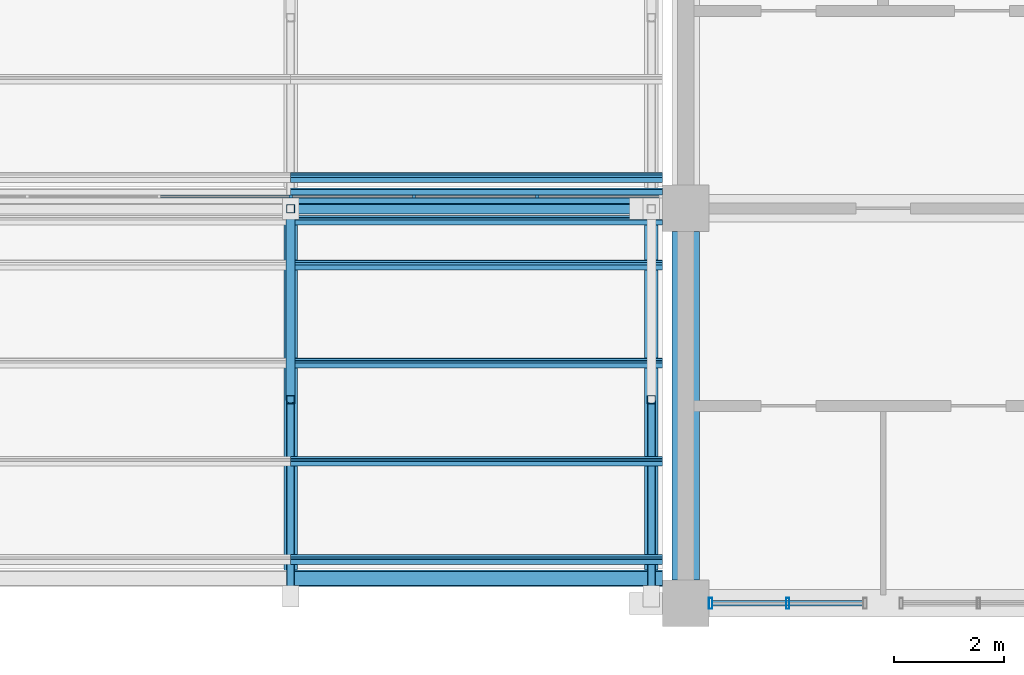
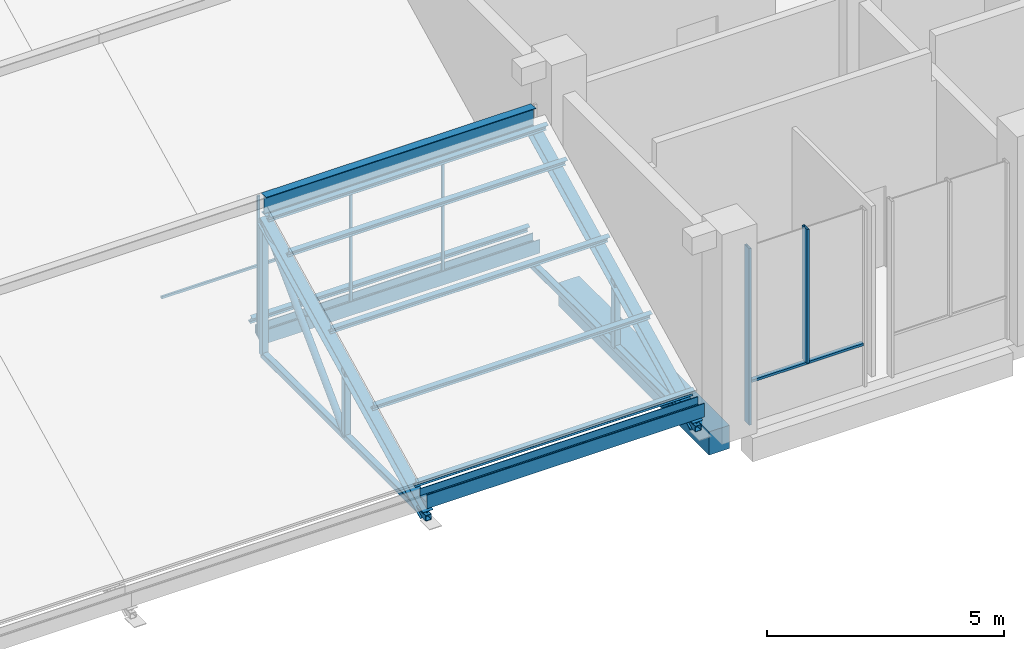
# One storey, part 43 of 83: 27 members, 1 beam, 3 elements without a shape of their own.
"""IFC4 building model written with IfcOpenShell, lengths in metres."""

import ifcopenshell
import ifcopenshell.guid

model = None  # the IFC model being written
_history = None  # IfcOwnerHistory: only IFC2X3 demands one
_inside = {}  # id of a spatial element -> (the spatial element, [elements in it])
_under = {}  # id of a project, library or spatial element -> (it, [spatial elements below it])
_declared = {}  # id of a project -> (the project, [libraries it declares])
_typed = {}  # id of a type object -> (the type object, [elements of that type])
_made_of = {}  # id of a material, layer set ... -> (it, [elements and type objects made of it])


def new_model(schema):
    """Start an empty IFC model of exactly this schema.

    Asked for "IFC4X3", IfcOpenShell would pick the latest addendum, in which some entities
    have other attributes; the version numbers below select the first issue.
    IFC2X3 requires an IfcOwnerHistory on every rooted entity: one is made here for all.
    """
    global model, _history
    if schema == "IFC4X3":
        model = ifcopenshell.file(schema_version=(4, 3, 0, 0))
    else:
        model = ifcopenshell.file(schema=schema)
    _inside.clear()
    _under.clear()
    _declared.clear()
    _typed.clear()
    _made_of.clear()
    _history = None
    if model.schema == "IFC2X3":
        org = make("IfcOrganization", Name="unknown")
        user = make(
            "IfcPersonAndOrganization",
            ThePerson=make("IfcPerson", FamilyName="unknown"),
            TheOrganization=org,
        )
        app = make(
            "IfcApplication",
            ApplicationDeveloper=org,
            Version="unknown",
            ApplicationFullName="unknown",
            ApplicationIdentifier="unknown",
        )
        _history = make(
            "IfcOwnerHistory",
            OwningUser=user,
            OwningApplication=app,
            ChangeAction="ADDED",
            CreationDate=0,
        )
    return model


def make(cls, **values):
    """One entity of the class cls with the attributes given. An attribute that is None is left unset."""
    return model.create_entity(
        cls, **{name: value for name, value in values.items() if value is not None}
    )


def rooted(cls, **values):
    """An entity with a GlobalId (a new one), such as an element, a storey or a relation."""
    return make(cls, GlobalId=ifcopenshell.guid.new(), OwnerHistory=_history, **values)


def si_unit(unit_type, name, prefix=None):
    """IfcSIUnit, for example si_unit("LENGTHUNIT", "METRE", prefix="MILLI")."""
    return make("IfcSIUnit", UnitType=unit_type, Prefix=prefix, Name=name)


def assignment(units):
    """IfcUnitAssignment: the units of a project."""
    return None if units is None else make("IfcUnitAssignment", Units=units)


def point(xyz):
    """IfcCartesianPoint."""
    return None if xyz is None else make("IfcCartesianPoint", Coordinates=xyz)


def direction(xyz):
    """IfcDirection."""
    return None if xyz is None else make("IfcDirection", DirectionRatios=xyz)


def frame(location, z_axis=None, x_axis=None):
    """IfcAxis2Placement3D, a coordinate frame: its origin and axes. An axis left out is left unset."""
    return make(
        "IfcAxis2Placement3D",
        Location=point(location),
        Axis=direction(z_axis),
        RefDirection=direction(x_axis),
    )


def frame_2d(location, x_axis=None):
    """IfcAxis2Placement2D, a coordinate frame in the plane: its origin and x axis."""
    return make(
        "IfcAxis2Placement2D", Location=point(location), RefDirection=direction(x_axis)
    )


def origin():
    """The frame at (0, 0, 0) with its axes left unset."""
    return frame((0.0, 0.0, 0.0))


def origin_2d():
    """The frame at (0, 0) in the plane with its x axis left unset."""
    return frame_2d((0.0, 0.0))


def place(relative_to, where):
    """IfcLocalPlacement: puts the frame where relative to a parent placement (None: the world)."""
    return make(
        "IfcLocalPlacement", PlacementRelTo=relative_to, RelativePlacement=where
    )


def context(
    kind, dimensions, precision=None, world=None, true_north=None, identifier=None
):
    """IfcGeometricRepresentationContext, for example the 3D "Model" context."""
    return make(
        "IfcGeometricRepresentationContext",
        ContextIdentifier=identifier,
        ContextType=kind,
        CoordinateSpaceDimension=dimensions,
        Precision=precision,
        WorldCoordinateSystem=world,
        TrueNorth=true_north,
    )


def subcontext(parent, identifier, kind, view, scale=None):
    """IfcGeometricRepresentationSubContext, for example "Body" below "Model"."""
    return make(
        "IfcGeometricRepresentationSubContext",
        ContextIdentifier=identifier,
        ContextType=kind,
        ParentContext=parent,
        TargetScale=scale,
        TargetView=view,
    )


def project(units=None, contexts=None):
    """IfcProject with its units and contexts."""
    return rooted(
        "IfcProject",
        Name="project",
        RepresentationContexts=contexts,
        UnitsInContext=assignment(units),
    )


def spatial(cls, under=None, at=None, **own):
    """A site, building, storey or space (cls), placed at a placement, below another one or the project."""
    s = rooted(cls, ObjectPlacement=at, **own)
    if under is not None:
        _under.setdefault(under.id(), (under, []))[1].append(s)
    return s


def polyline(points):
    """IfcPolyline through the points."""
    return make("IfcPolyline", Points=[point(p) for p in points])


def profile(cls, at=None, kind="AREA", **sizes):
    """A parametric profile (cls). Its sizes go by their IFC names, for example OverallWidth=200.0."""
    return make(cls, ProfileType=kind, Position=at, **sizes)


def rectangle(**sizes):
    """IfcRectangleProfileDef."""
    return profile("IfcRectangleProfileDef", **sizes)


def hollow_rectangle(**sizes):
    """IfcRectangleHollowProfileDef."""
    return profile("IfcRectangleHollowProfileDef", **sizes)


def hollow_circle(**sizes):
    """IfcCircleHollowProfileDef."""
    return profile("IfcCircleHollowProfileDef", **sizes)


def i_section(**sizes):
    """IfcIShapeProfileDef."""
    return profile("IfcIShapeProfileDef", **sizes)


def outline(outer, holes=None, kind="AREA"):
    """IfcArbitraryClosedProfileDef: a profile drawn as a closed curve; with holes, ...WithVoids."""
    if holes is None:
        return make("IfcArbitraryClosedProfileDef", ProfileType=kind, OuterCurve=outer)
    return make(
        "IfcArbitraryProfileDefWithVoids",
        ProfileType=kind,
        OuterCurve=outer,
        InnerCurves=holes,
    )


def extrude(swept, where, along, depth):
    """IfcExtrudedAreaSolid: the profile swept, set in the frame where, extruded along a direction by depth."""
    return make(
        "IfcExtrudedAreaSolid",
        SweptArea=swept,
        Position=where,
        ExtrudedDirection=direction(along),
        Depth=depth,
    )


def shape(context_of_items, identifier, shape_type, items):
    """IfcShapeRepresentation: the items that make up one representation, for example the "Body"."""
    return make(
        "IfcShapeRepresentation",
        ContextOfItems=context_of_items,
        RepresentationIdentifier=identifier,
        RepresentationType=shape_type,
        Items=items,
    )


def material(Name=None, Category=None):
    """IfcMaterial."""
    return make("IfcMaterial", Name=Name, Category=Category)


def material_profile(
    of_material, cross_section, Name=None, Category=None, Priority=None
):
    """IfcMaterialProfile: a cross section and its material."""
    return make(
        "IfcMaterialProfile",
        Name=Name,
        Material=of_material,
        Profile=cross_section,
        Priority=Priority,
        Category=Category,
    )


def profile_set(profiles, Name=None, composite=None):
    """IfcMaterialProfileSet."""
    return make(
        "IfcMaterialProfileSet",
        Name=Name,
        MaterialProfiles=profiles,
        CompositeProfile=composite,
    )


def made_of(thing, what):
    """Note that an element or type object is made of a material, layer set ...; save() writes the relation."""
    if what is not None:
        _made_of.setdefault(what.id(), (what, []))[1].append(thing)
    return thing


def type_object(cls, material=None, **own):
    """A type object (cls), such as IfcWallType, which elements share."""
    return made_of(rooted(cls, **own), material)


def element(
    cls,
    number,
    at=None,
    inside=None,
    cuts=None,
    type_object=None,
    material=None,
    context=None,
    identifier="Body",
    shape_type=None,
    held_by="IfcProductDefinitionShape",
    body=None,
    shapes=None,
    **own,
):
    """One element of the class cls, such as IfcWall. Its Tag is "e" and its number.

    at: its placement. inside: the storey or other place that contains it. cuts: it is an
    opening in that element (IfcRelVoidsElement). A single representation is given by context,
    identifier, shape_type and body (its items); several are given by shapes. held_by: the class
    of the entity that holds the representations. save() writes the other relations.
    """
    e = rooted(cls, Tag="e%d" % number, ObjectPlacement=at, **own)
    if body is not None:
        shapes = [shape(context, identifier, shape_type, body)]
    if shapes is not None:
        e.Representation = make(held_by, Representations=shapes)
    if inside is not None:
        _inside.setdefault(inside.id(), (inside, []))[1].append(e)
    if cuts is not None:
        rooted(
            "IfcRelVoidsElement", RelatingBuildingElement=cuts, RelatedOpeningElement=e
        )
    if type_object is not None:
        _typed.setdefault(type_object.id(), (type_object, []))[1].append(e)
    return made_of(e, material)


def aggregate(whole, parts):
    """IfcRelAggregates: a whole, such as a stair, and the parts it consists of."""
    return rooted("IfcRelAggregates", RelatingObject=whole, RelatedObjects=parts)


def save(model, path):
    """Write the relations noted so far, then the file.

    IfcRelAggregates (storeys below a building ...), IfcRelContainedInSpatialStructure (elements
    in a storey), IfcRelDefinesByType, IfcRelAssociatesMaterial and IfcRelDeclares: one each for
    every whole, place, type object, material and project.
    """
    for whole, parts in _under.values():
        aggregate(whole, parts)
    for where, things in _inside.values():
        rooted(
            "IfcRelContainedInSpatialStructure",
            RelatedElements=things,
            RelatingStructure=where,
        )
    for kind, things in _typed.values():
        rooted("IfcRelDefinesByType", RelatedObjects=things, RelatingType=kind)
    for what, things in _made_of.values():
        rooted("IfcRelAssociatesMaterial", RelatedObjects=things, RelatingMaterial=what)
    for by, libraries in _declared.values():
        rooted("IfcRelDeclares", RelatingContext=by, RelatedDefinitions=libraries)
    model.write(path)


model = new_model("IFC4")

# Units and contexts
model_context = context("Model", 3, precision=1e-05, world=origin(), true_north=direction((0.0, 1.0)))
body_context = subcontext(model_context, "Body", "Model", "MODEL_VIEW")
ifc_project = project(units=[si_unit("LENGTHUNIT", "METRE"), si_unit("AREAUNIT", "SQUARE_METRE"), si_unit("VOLUMEUNIT", "CUBIC_METRE"), si_unit("PLANEANGLEUNIT", "RADIAN"), si_unit("MASSUNIT", "GRAM", prefix="KILO")], contexts=[model_context])

# Site, building, storey
site_placement = place(None, origin())
site = spatial("IfcSite", under=ifc_project, at=site_placement, CompositionType="ELEMENT")
building_placement = place(site_placement, origin())
building = spatial("IfcBuilding", under=site, at=building_placement, Name="Silangan Lancet Faculty of Sciences", CompositionType="ELEMENT")
storey_placement = place(building_placement, frame((0.0, 0.0, 11.39990234375)))
storey = spatial("IfcBuildingStorey", under=building, at=storey_placement, Name="L02", CompositionType="ELEMENT", Elevation=11.39990234375)

# Beam
ifc_material_1 = material(Name="Concrete C40/50", Category="concrete")
ifc_material_profile_1 = material_profile(ifc_material_1, rectangle(XDim=0.5, YDim=0.60009765625, at=origin_2d()), Name="RC 500x600")
ifc_profile_set_1 = profile_set([ifc_material_profile_1], Name="Concrete C40/50")
beam_type = type_object("IfcBeamType", Name="BEAM RC 500x600", PredefinedType="BEAM", material=ifc_profile_set_1)
beam_placement = place(storey_placement, frame((72.0, 0.425048828125, -0.5498046875), z_axis=(0.0, 1.0, 0.0), x_axis=(-1.0, 0.0, 0.0)))
element("IfcBeam", 1, at=beam_placement, inside=storey, type_object=beam_type, Name="BM-L02-11A-11B", PredefinedType="BEAM", context=body_context, shape_type="SweptSolid", body=[
    extrude(rectangle(XDim=0.5, YDim=0.60009765625, at=origin_2d()), origin(), (0.0, 0.0, 1.0), 6.349853515625),
])

# Curtain wall, members
ifc_material_2 = material(Name="Aluminium framed curtain wall with insulated glass", Category="aluminium")
curtain_wall_type_1 = type_object("IfcCurtainWallType", Name="CW1 Commons and east block glazing", PredefinedType="NOTDEFINED", material=ifc_material_2)
curtain_wall_1_placement = place(storey_placement, origin())
curtain_wall_1 = element("IfcCurtainWall", 2, at=curtain_wall_1_placement, inside=storey, type_object=curtain_wall_type_1, Name="CW1 East block south L02 bay 1", PredefinedType="NOTDEFINED")
ifc_material_3 = material(Name="Aluminium 6063-T6 extrusion", Category="aluminium")
ifc_material_profile_2 = material_profile(ifc_material_3, hollow_rectangle(XDim=0.06005859375, YDim=0.199951171875, WallThickness=0.00390625, at=origin_2d()), Name="AL BOX 60x200x4")
ifc_profile_set_2 = profile_set([ifc_material_profile_2], Name="Aluminium 6063-T6 extrusion")
member_type_1 = type_object("IfcMemberType", Name="CM1 Mullion 60x200", PredefinedType="MULLION", material=ifc_profile_set_2)
member_1_placement = place(storey_placement, frame((72.455078125, 0.0, 0.0), z_axis=(0.0, 0.0, 1.0), x_axis=(1.0, 0.0, 0.0)))
member_1 = element("IfcMember", 3, at=member_1_placement, type_object=member_type_1, Name="CW1 East block south L02 bay 1 mullion 1", PredefinedType="MULLION", context=body_context, shape_type="SweptSolid", body=[
    extrude(hollow_rectangle(XDim=0.06005859375, YDim=0.199951171875, WallThickness=0.00390625, at=origin_2d()), origin(), (0.0, 0.0, 1.0), 4.550048828125),
])
member_2_placement = place(storey_placement, frame((73.862548828125, 0.0, 1.10009765625), z_axis=(0.0, 0.0, 1.0), x_axis=(1.0, 0.0, 0.0)))
member_2 = element("IfcMember", 4, at=member_2_placement, type_object=member_type_1, Name="CW1 East block south L02 bay 1 mullion 3", PredefinedType="MULLION", context=body_context, shape_type="SweptSolid", body=[
    extrude(hollow_rectangle(XDim=0.06005859375, YDim=0.199951171875, WallThickness=0.00390625, at=origin_2d()), origin(), (0.0, 0.0, 1.0), 3.449951171875),
])
ifc_material_4 = material(Name="Aluminium 6063-T6 extrusion", Category="aluminium")
ifc_material_profile_3 = material_profile(ifc_material_4, hollow_rectangle(XDim=0.10009765625, YDim=0.06005859375, WallThickness=0.0029296875, at=origin_2d()), Name="AL BOX 100x60x3")
ifc_profile_set_3 = profile_set([ifc_material_profile_3], Name="Aluminium 6063-T6 extrusion")
member_type_2 = type_object("IfcMemberType", Name="CT1 Transom 100x60", PredefinedType="USERDEFINED", material=ifc_profile_set_3)
member_3_placement = place(storey_placement, frame((72.485107421875, 0.0, 1.070068359375), z_axis=(1.0, 0.0, 0.0), x_axis=(0.0, 1.0, 0.0)))
member_3 = element("IfcMember", 5, at=member_3_placement, type_object=member_type_2, Name="CW1 East block south L02 bay 1 transom 1", ObjectType="TRANSOM", PredefinedType="USERDEFINED", context=body_context, shape_type="SweptSolid", body=[
    extrude(hollow_rectangle(XDim=0.10009765625, YDim=0.06005859375, WallThickness=0.0029296875, at=origin_2d()), origin(), (0.0, 0.0, 1.0), 2.7548828125),
])
aggregate(curtain_wall_1, [member_1, member_2, member_3])

# Member
ifc_material_5 = material(Name="Steel SS400", Category="steel")
ifc_material_profile_4 = material_profile(ifc_material_5, i_section(OverallWidth=0.199951171875, OverallDepth=0.5, WebThickness=0.010009765625, FlangeThickness=0.01611328125, FilletRadius=0.02001953125, at=origin_2d()), Name="H 500x200x10x16")
ifc_profile_set_4 = profile_set([ifc_material_profile_4], Name="Steel SS400")
member_type_3 = type_object("IfcMemberType", Name="Exposed ridge beam H 500x200x10x16", PredefinedType="MEMBER", material=ifc_profile_set_4)
member_4_placement = place(storey_placement, frame((64.800048828125, 7.191650390625, 3.9326171875), z_axis=(1.0, 0.0, 0.0), x_axis=(0.0, 1.0, 0.0)))
element("IfcMember", 6, at=member_4_placement, inside=storey, type_object=member_type_3, Name="Exposed ridge beam SAB-1-6", PredefinedType="MEMBER", context=body_context, shape_type="SweptSolid", body=[
    extrude(i_section(OverallWidth=0.199951171875, OverallDepth=0.5, WebThickness=0.010009765625, FlangeThickness=0.01611328125, FilletRadius=0.02001953125, at=origin_2d()), origin(), (0.0, 0.0, 1.0), 6.574951171875),
])

# Curtain wall, members
ifc_material_6 = material(Name="Aluminium and laminated glass", Category="aluminium")
curtain_wall_type_2 = type_object("IfcCurtainWallType", Name="North light glazing system", PredefinedType="NOTDEFINED", material=ifc_material_6)
curtain_wall_2_placement = place(storey_placement, origin())
curtain_wall_2 = element("IfcCurtainWall", 7, at=curtain_wall_2_placement, inside=storey, type_object=curtain_wall_type_2, Name="North light glazing SAB-1-6", PredefinedType="NOTDEFINED")
ifc_material_7 = material(Name="Aluminium 6063-T6", Category="aluminium")
ifc_material_profile_5 = material_profile(ifc_material_7, rectangle(XDim=0.06005859375, YDim=0.050048828125, at=origin_2d()), Name="AL 60x50")
ifc_profile_set_5 = profile_set([ifc_material_profile_5], Name="Aluminium 6063-T6")
member_type_4 = type_object("IfcMemberType", Name="North light mullion 60x50", PredefinedType="MULLION", material=ifc_profile_set_5)
member_5_placement = place(storey_placement, frame((64.800048828125, 7.416748046875, 0.4423828125), z_axis=(0.0, 0.0, 1.0), x_axis=(1.0, 0.0, 0.0)))
member_5 = element("IfcMember", 8, at=member_5_placement, type_object=member_type_4, Name="North light mullion SAB-1-6 1", PredefinedType="MULLION", context=body_context, shape_type="SweptSolid", body=[
    extrude(rectangle(XDim=0.06005859375, YDim=0.050048828125, at=origin_2d()), origin(), (0.0, 0.0, 1.0), 3.595947265625),
])
member_6_placement = place(storey_placement, frame((67.04833984375, 7.416748046875, 0.4423828125), z_axis=(0.0, 0.0, 1.0), x_axis=(1.0, 0.0, 0.0)))
member_6 = element("IfcMember", 9, at=member_6_placement, type_object=member_type_4, Name="North light mullion SAB-1-6 2", PredefinedType="MULLION", context=body_context, shape_type="SweptSolid", body=[
    extrude(rectangle(XDim=0.06005859375, YDim=0.050048828125, at=origin_2d()), origin(), (0.0, 0.0, 1.0), 3.595947265625),
])
member_7_placement = place(storey_placement, frame((69.296630859375, 7.416748046875, 0.4423828125), z_axis=(0.0, 0.0, 1.0), x_axis=(1.0, 0.0, 0.0)))
member_7 = element("IfcMember", 10, at=member_7_placement, type_object=member_type_4, Name="North light mullion SAB-1-6 3", PredefinedType="MULLION", context=body_context, shape_type="SweptSolid", body=[
    extrude(rectangle(XDim=0.06005859375, YDim=0.050048828125, at=origin_2d()), origin(), (0.0, 0.0, 1.0), 3.595947265625),
])

# Curtain wall, member
curtain_wall_3_placement = place(storey_placement, origin())
curtain_wall_3 = element("IfcCurtainWall", 11, at=curtain_wall_3_placement, inside=storey, type_object=curtain_wall_type_2, Name="North light glazing SAB-1-5", PredefinedType="NOTDEFINED")
ifc_material_8 = material(Name="Aluminium 6063-T6", Category="aluminium")
ifc_material_profile_6 = material_profile(ifc_material_8, rectangle(XDim=0.050048828125, YDim=0.06005859375, at=origin_2d()), Name="AL 50x60")
ifc_profile_set_6 = profile_set([ifc_material_profile_6], Name="Aluminium 6063-T6")
member_type_5 = type_object("IfcMemberType", Name="North light transom 50x60", PredefinedType="USERDEFINED", material=ifc_profile_set_6)
member_8_placement = place(storey_placement, frame((62.429931640625, 7.416748046875, 2.240478515625), z_axis=(1.0, 0.0, 0.0), x_axis=(0.0, 1.0, 0.0)))
member_8 = element("IfcMember", 12, at=member_8_placement, type_object=member_type_5, Name="North light transom SAB-1-5 3", ObjectType="TRANSOM", PredefinedType="USERDEFINED", context=body_context, shape_type="SweptSolid", body=[
    extrude(rectangle(XDim=0.050048828125, YDim=0.06005859375, at=origin_2d()), origin(), (0.0, 0.0, 1.0), 2.340087890625),
])
aggregate(curtain_wall_3, [member_8])

# Member
member_9_placement = place(storey_placement, frame((64.830078125, 7.416748046875, 2.240478515625), z_axis=(1.0, 0.0, 0.0), x_axis=(0.0, 1.0, 0.0)))
member_9 = element("IfcMember", 13, at=member_9_placement, type_object=member_type_5, Name="North light transom SAB-1-6 1", ObjectType="TRANSOM", PredefinedType="USERDEFINED", context=body_context, shape_type="SweptSolid", body=[
    extrude(rectangle(XDim=0.050048828125, YDim=0.06005859375, at=origin_2d()), origin(), (0.0, 0.0, 1.0), 2.188232421875),
])

member_10_placement = place(storey_placement, frame((67.078369140625, 7.416748046875, 2.240478515625), z_axis=(1.0, 0.0, 0.0), x_axis=(0.0, 1.0, 0.0)))
member_10 = element("IfcMember", 14, at=member_10_placement, type_object=member_type_5, Name="North light transom SAB-1-6 2", ObjectType="TRANSOM", PredefinedType="USERDEFINED", context=body_context, shape_type="SweptSolid", body=[
    extrude(rectangle(XDim=0.050048828125, YDim=0.06005859375, at=origin_2d()), origin(), (0.0, 0.0, 1.0), 2.188232421875),
])

member_11_placement = place(storey_placement, frame((69.32666015625, 7.416748046875, 2.240478515625), z_axis=(1.0, 0.0, 0.0), x_axis=(0.0, 1.0, 0.0)))
member_11 = element("IfcMember", 15, at=member_11_placement, type_object=member_type_5, Name="North light transom SAB-1-6 3", ObjectType="TRANSOM", PredefinedType="USERDEFINED", context=body_context, shape_type="SweptSolid", body=[
    extrude(rectangle(XDim=0.050048828125, YDim=0.06005859375, at=origin_2d()), origin(), (0.0, 0.0, 1.0), 2.248291015625),
])

aggregate(curtain_wall_2, [member_5, member_6, member_7, member_9, member_10, member_11])

# Members
ifc_material_9 = material(Name="Steel SS400", Category="steel")
ifc_material_profile_7 = material_profile(ifc_material_9, i_section(OverallWidth=0.10009765625, OverallDepth=0.199951171875, WebThickness=0.005615234375, FlangeThickness=0.008056640625, FilletRadius=0.008056640625, at=origin_2d()), Name="H 200x100x5.5x8")
ifc_profile_set_7 = profile_set([ifc_material_profile_7], Name="Steel SS400")
member_type_6 = type_object("IfcMemberType", Name="Sheeting purlin H 200x100x5.5x8", PredefinedType="PURLIN", material=ifc_profile_set_7)
for number, where, z_axis, x_axis, name in (
    (16, (64.800048828125, 0.80029296875, 0.6318359375), (1.0, 0.0, 0.0), (0.0, 0.894427192382, 0.447213592736), "Sheeting purlin SAB-1-6 1"),
    (17, (64.800048828125, 2.589111328125, 1.526123046875), (1.0, 0.0, 0.0), (0.0, 0.894427192382, 0.447213592736), "Sheeting purlin SAB-1-6 2"),
    (18, (64.800048828125, 4.3779296875, 2.420654296875), (1.0, 0.0, 0.0), (0.0, 0.894427192382, 0.447213592736), "Sheeting purlin SAB-1-6 3"),
    (19, (64.800048828125, 6.166748046875, 3.31494140625), (1.0, 0.0, 0.0), (0.0, 0.894427192382, 0.447213592736), "Sheeting purlin SAB-1-6 4"),
    (20, (64.800048828125, 6.983642578125, 3.723388671875), (1.0, 0.0, 0.0), (0.0, 0.894427192382, 0.447213592736), "Sheeting purlin SAB-1-6 5"),
    (21, (64.800048828125, 7.761962890625, 0.6318359375), (1.0, 0.0, 0.0), (0.0, 0.894427192382, 0.447213592736), "Sheeting purlin SAB-2-6 1"),
):
    element("IfcMember", number, at=place(storey_placement, frame(where, z_axis=z_axis, x_axis=x_axis)), inside=storey, type_object=member_type_6, Name=name, PredefinedType="PURLIN", context=body_context, shape_type="SweptSolid", body=[
        extrude(i_section(OverallWidth=0.10009765625, OverallDepth=0.199951171875, WebThickness=0.005615234375, FlangeThickness=0.008056640625, FilletRadius=0.008056640625, at=origin_2d()), origin(), (0.0, 0.0, 1.0), 6.77490234375),
    ])
ifc_material_10 = material(Name="Steel STKR400", Category="steel")
ifc_material_profile_8 = material_profile(ifc_material_10, hollow_rectangle(XDim=0.14990234375, YDim=0.14990234375, WallThickness=0.009033203125, InnerFilletRadius=0.009033203125, OuterFilletRadius=0.01806640625, at=origin_2d()), Name="SHS 150x150x9.0")
ifc_profile_set_8 = profile_set([ifc_material_profile_8], Name="Steel STKR400")
member_type_7 = type_object("IfcMemberType", Name="Truss bottom chord SHS 150x150x9.0", PredefinedType="CHORD", material=ifc_profile_set_8)
for number, where, z_axis, x_axis, name in (
    (22, (64.800048828125, 0.22998046875, 0.09521484375), (0.0, 1.0, 0.0), (-1.0, 0.0, 0.0), "Truss 6 bottom chord 1"),
    (23, (71.375, 0.22998046875, 0.09521484375), (0.0, 1.0, 0.0), (-1.0, 0.0, 0.0), "Truss 7 bottom chord 1"),
):
    element("IfcMember", number, at=place(storey_placement, frame(where, z_axis=z_axis, x_axis=x_axis)), inside=storey, type_object=member_type_7, Name=name, PredefinedType="CHORD", context=body_context, shape_type="SweptSolid", body=[
        extrude(hollow_rectangle(XDim=0.14990234375, YDim=0.14990234375, WallThickness=0.009033203125, InnerFilletRadius=0.009033203125, OuterFilletRadius=0.01806640625, at=origin_2d()), origin(), (0.0, 0.0, 1.0), 6.961669921875),
    ])
ifc_material_11 = material(Name="Steel STK400", Category="steel")
ifc_material_profile_9 = material_profile(ifc_material_11, hollow_circle(Radius=0.08251953125, WallThickness=0.0048828125, at=origin_2d()), Name="CHS 165.2x5.0")
ifc_profile_set_9 = profile_set([ifc_material_profile_9], Name="Steel STK400")
member_type_8 = type_object("IfcMemberType", Name="Truss diagonal CHS 165.2x5.0", PredefinedType="BRACE", material=ifc_profile_set_9)
member_12_placement = place(storey_placement, frame((64.800048828125, 3.710693359375, 0.09521484375), z_axis=(0.0, 0.707131578465, 0.707081983039), x_axis=(-1.0, 0.0, 0.0)))
element("IfcMember", 24, at=member_12_placement, inside=storey, type_object=member_type_8, Name="Truss 6 diagonal 1", PredefinedType="BRACE", context=body_context, shape_type="SweptSolid", body=[
    extrude(hollow_circle(Radius=0.08251953125, WallThickness=0.0048828125, at=origin_2d()), origin(), (0.0, 0.0, 1.0), 4.922607421875),
])
ifc_material_12 = material(Name="Steel STKR400", Category="steel")
ifc_material_profile_10 = material_profile(ifc_material_12, hollow_rectangle(XDim=0.14990234375, YDim=0.14990234375, WallThickness=0.006103515625, InnerFilletRadius=0.006103515625, OuterFilletRadius=0.011962890625, at=origin_2d()), Name="SHS 150x150x6.0")
ifc_profile_set_10 = profile_set([ifc_material_profile_10], Name="Steel STKR400")
member_type_9 = type_object("IfcMemberType", Name="Truss post SHS 150x150x6.0", PredefinedType="POST", material=ifc_profile_set_10)
member_13_placement = place(storey_placement, frame((64.800048828125, 7.191650390625, 0.09521484375), z_axis=(0.0, 0.0, 1.0), x_axis=(1.0, 0.0, 0.0)))
element("IfcMember", 25, at=member_13_placement, inside=storey, type_object=member_type_9, Name="Truss 6 riser post 1", PredefinedType="POST", context=body_context, shape_type="SweptSolid", body=[
    extrude(hollow_rectangle(XDim=0.14990234375, YDim=0.14990234375, WallThickness=0.006103515625, InnerFilletRadius=0.006103515625, OuterFilletRadius=0.011962890625, at=origin_2d()), origin(), (0.0, 0.0, 1.0), 3.480712890625),
])
for number, where, z_axis, x_axis, name in (
    (26, (64.800048828125, 3.710693359375, 0.09521484375), (0.0, 0.0, 1.0), (1.0, 0.0, 0.0), "Truss 6 mid post 1"),
    (27, (71.375, 3.710693359375, 0.09521484375), (0.0, 0.0, 1.0), (1.0, 0.0, 0.0), "Truss 7 mid post 1"),
):
    element("IfcMember", number, at=place(storey_placement, frame(where, z_axis=z_axis, x_axis=x_axis)), inside=storey, type_object=member_type_9, Name=name, PredefinedType="POST", context=body_context, shape_type="SweptSolid", body=[
        extrude(hollow_rectangle(XDim=0.14990234375, YDim=0.14990234375, WallThickness=0.006103515625, InnerFilletRadius=0.006103515625, OuterFilletRadius=0.011962890625, at=origin_2d()), origin(), (0.0, 0.0, 1.0), 1.740234375),
    ])
ifc_material_13 = material(Name="Steel SS400", Category="steel")
ifc_material_profile_11 = material_profile(ifc_material_13, i_section(OverallWidth=0.25, OverallDepth=0.25, WebThickness=0.009033203125, FlangeThickness=0.013916015625, FilletRadius=0.01611328125, at=origin_2d()), Name="H 250x250x9x14")
ifc_profile_set_11 = profile_set([ifc_material_profile_11], Name="Steel SS400")
member_type_10 = type_object("IfcMemberType", Name="Truss top chord H 250x250x9x14", PredefinedType="CHORD", material=ifc_profile_set_11)
for number, where, z_axis, x_axis, name in (
    (28, (64.800048828125, 0.310546875, 0.13525390625), (0.0, 0.894420844124, 0.447226289027), (-1.0, 0.0, 0.0), "Truss 6 top chord 1"),
    (29, (71.375, 0.310546875, 0.13525390625), (0.0, 0.894420844124, 0.447226289027), (-1.0, 0.0, 0.0), "Truss 7 top chord 1"),
):
    element("IfcMember", number, at=place(storey_placement, frame(where, z_axis=z_axis, x_axis=x_axis)), inside=storey, type_object=member_type_10, Name=name, PredefinedType="CHORD", context=body_context, shape_type="SweptSolid", body=[
        extrude(i_section(OverallWidth=0.25, OverallDepth=0.25, WebThickness=0.009033203125, FlangeThickness=0.013916015625, FilletRadius=0.01611328125, at=origin_2d()), origin(), (0.0, 0.0, 1.0), 7.693359375),
    ])
ifc_material_14 = material(Name="Stainless steel", Category="steel")
ifc_material_profile_12 = material_profile(ifc_material_14, outline(polyline([(-0.14990234375, 0.0), (0.14990234375, 0.14990234375), (0.14990234375, 0.35009765625), (0.1298828125, 0.35009765625), (0.1298828125, 0.169921875), (-0.1298828125, 0.169921875), (-0.1298828125, 0.35009765625), (-0.14990234375, 0.35009765625), (-0.14990234375, 0.0)])), Name="valley gutter")
ifc_profile_set_12 = profile_set([ifc_material_profile_12], Name="Stainless steel")
member_type_11 = type_object("IfcMemberType", Name="Valley gutter 300 wide", PredefinedType="USERDEFINED", material=ifc_profile_set_12)
for number, where, z_axis, x_axis, name in (
    (30, (64.800048828125, 0.455078125, 0.2724609375), (1.0, 0.0, 0.0), (0.0, 1.0, 0.0), "Valley gutter SAB-1-6"),
    (31, (64.800048828125, 7.416748046875, 0.2724609375), (1.0, 0.0, 0.0), (0.0, 1.0, 0.0), "Valley gutter SAB-2-6"),
):
    element("IfcMember", number, at=place(storey_placement, frame(where, z_axis=z_axis, x_axis=x_axis)), inside=storey, type_object=member_type_11, Name=name, ObjectType="GUTTER", PredefinedType="USERDEFINED", context=body_context, shape_type="SweptSolid", body=[
        extrude(outline(polyline([(-0.14990234375, 0.0), (0.14990234375, 0.14990234375), (0.14990234375, 0.35009765625), (0.1298828125, 0.35009765625), (0.1298828125, 0.169921875), (-0.1298828125, 0.169921875), (-0.1298828125, 0.35009765625), (-0.14990234375, 0.35009765625), (-0.14990234375, 0.0)])), origin(), (0.0, 0.0, 1.0), 6.77490234375),
    ])

save(model, "model.ifc")
